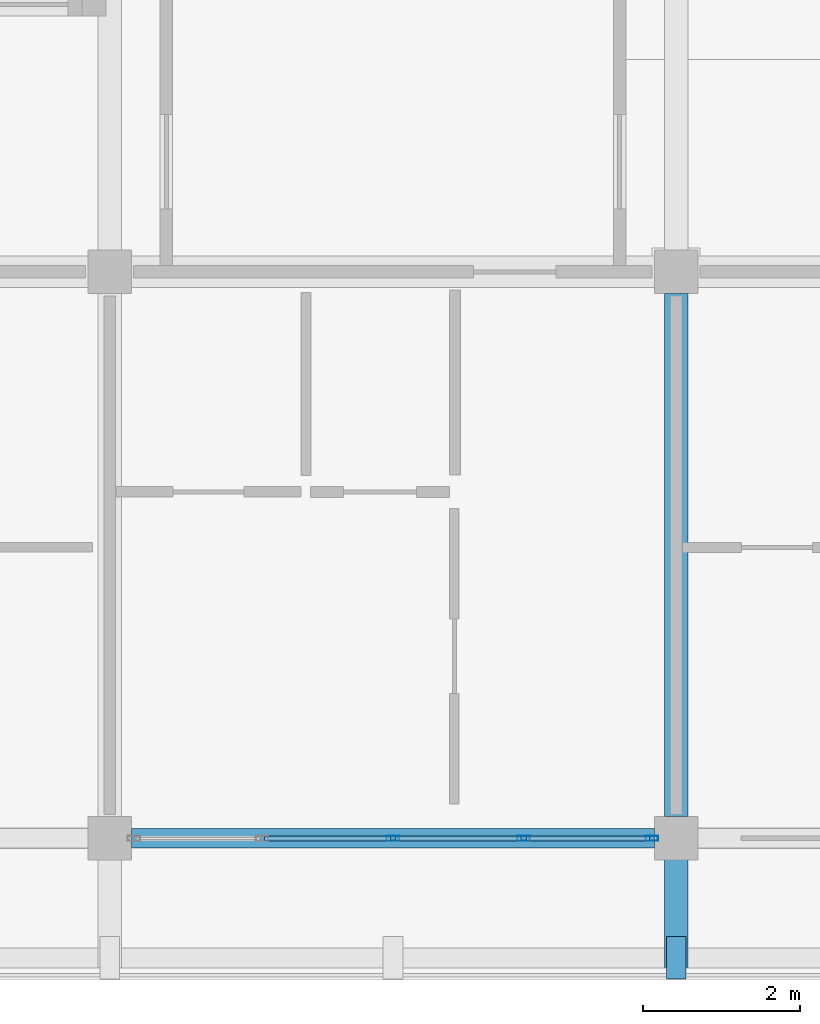
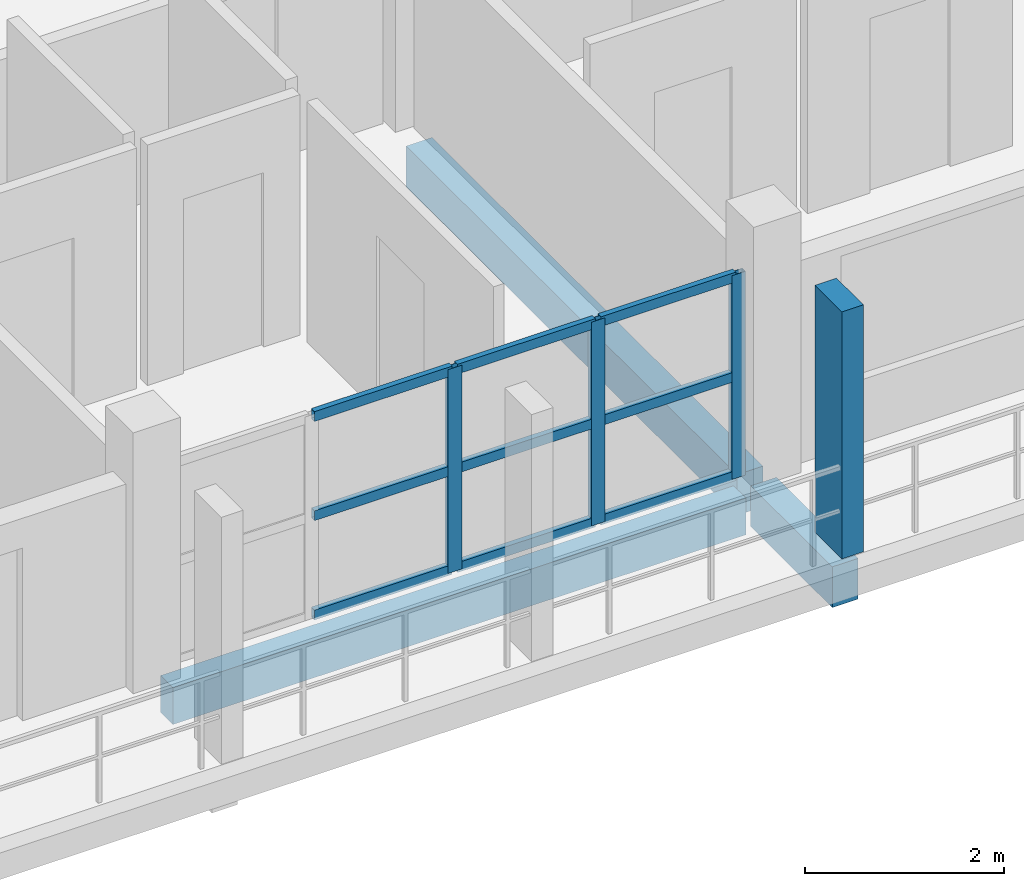
# One storey, part 22 of 65: 13 members, 3 beams, 1 element without a shape of its own.
"""IFC4 building model written with IfcOpenShell, lengths in metres."""

from ifc_helpers import new_model, si_unit, direction, frame, origin, origin_2d, place, context, subcontext, project, spatial, rectangle, hollow_rectangle, extrude, material, material_profile, profile_set, type_object, element, aggregate, save


model = new_model("IFC4")

# Units and contexts
model_context = context("Model", 3, precision=1e-05, world=origin(), true_north=direction((0.0, 1.0)))
body_context = subcontext(model_context, "Body", "Model", "MODEL_VIEW")
ifc_project = project(units=[si_unit("LENGTHUNIT", "METRE"), si_unit("AREAUNIT", "SQUARE_METRE"), si_unit("VOLUMEUNIT", "CUBIC_METRE"), si_unit("PLANEANGLEUNIT", "RADIAN"), si_unit("MASSUNIT", "GRAM", prefix="KILO")], contexts=[model_context])

# Site, building, storey
site_placement = place(None, origin())
site = spatial("IfcSite", under=ifc_project, at=site_placement, CompositionType="ELEMENT")
building_placement = place(site_placement, origin())
building = spatial("IfcBuilding", under=site, at=building_placement, Name="Suanplinth Sawtooth Commons", CompositionType="ELEMENT")
storey_placement = place(building_placement, frame((0.0, 0.0, 28.300048828125)))
storey = spatial("IfcBuildingStorey", under=building, at=storey_placement, Name="L08", CompositionType="ELEMENT", Elevation=28.300048828125)

# Beams
ifc_material_1 = material(Name="Precast concrete C40/50", Category="concrete")
ifc_material_profile_1 = material_profile(ifc_material_1, rectangle(XDim=0.300048828125, YDim=0.5, at=origin_2d()), Name="PC-BM 300x500")
ifc_profile_set_1 = profile_set([ifc_material_profile_1], Name="Precast concrete C40/50")
beam_type_1 = type_object("IfcBeamType", Name="B-07", PredefinedType="BEAM", material=ifc_profile_set_1)
beam_1_placement = place(storey_placement, frame((172.800048828125, 0.27490234375, -0.4599609375), z_axis=(0.0, 1.0, 0.0), x_axis=(-1.0, 0.0, 0.0)))
element("IfcBeam", 1, at=beam_1_placement, inside=storey, type_object=beam_type_1, Name="BMY-L08-C-24-0", PredefinedType="BEAM", context=body_context, shape_type="SweptSolid", body=[
    extrude(rectangle(XDim=0.300048828125, YDim=0.5, at=origin_2d()), origin(), (0.0, 0.0, 1.0), 6.650146484375),
])
beam_2_placement = place(storey_placement, frame((172.800048828125, 0.0, -0.429931640625), z_axis=(0.0, -1.0, 0.0), x_axis=(1.0, 0.0, 0.0)))
element("IfcBeam", 2, at=beam_2_placement, inside=storey, type_object=beam_type_1, Name="Balcony Outrigger L08-C-S-24", PredefinedType="BEAM", context=body_context, shape_type="SweptSolid", body=[
    extrude(rectangle(XDim=0.300048828125, YDim=0.5, at=origin_2d()), origin(), (0.0, 0.0, 1.0), 1.639892578125),
])
ifc_material_profile_2 = material_profile(ifc_material_1, rectangle(XDim=0.25, YDim=0.449951171875, at=origin_2d()), Name="PC-SP 250x450")
ifc_profile_set_2 = profile_set([ifc_material_profile_2], Name="Precast concrete C40/50")
beam_type_2 = type_object("IfcBeamType", Name="B-09", PredefinedType="SPANDREL", material=ifc_profile_set_2)
beam_3_placement = place(storey_placement, frame((165.875, 0.0, -0.43505859375), z_axis=(1.0, 0.0, 0.0), x_axis=(0.0, 1.0, 0.0)))
element("IfcBeam", 3, at=beam_3_placement, inside=storey, type_object=beam_type_2, Name="BMX-L08-C-23-0", PredefinedType="SPANDREL", context=body_context, shape_type="SweptSolid", body=[
    extrude(rectangle(XDim=0.25, YDim=0.449951171875, at=origin_2d()), origin(), (0.0, 0.0, 1.0), 6.64990234375),
])

# Member
ifc_material_2 = material(Name="Pigmented precast concrete C40/50", Category="concrete")
ifc_material_profile_3 = material_profile(ifc_material_2, rectangle(XDim=0.25, YDim=0.5400390625, at=origin_2d()), Name="PC-FIN 250x540")
ifc_profile_set_3 = profile_set([ifc_material_profile_3], Name="Pigmented precast concrete C40/50")
member_type_1 = type_object("IfcMemberType", Name="M-11", PredefinedType="USERDEFINED", material=ifc_profile_set_3)
member_1_placement = place(storey_placement, frame((172.800048828125, -1.52001953125, 0.0), z_axis=(0.0, 0.0, 1.0), x_axis=(1.0, 0.0, 0.0)))
element("IfcMember", 4, at=member_1_placement, inside=storey, type_object=member_type_1, Name="Upright Solar Blade L08-C-S-07", ObjectType="SHADING FIN", PredefinedType="USERDEFINED", context=body_context, shape_type="SweptSolid", body=[
    extrude(rectangle(XDim=0.25, YDim=0.5400390625, at=origin_2d()), origin(), (0.0, 0.0, 1.0), 3.030029296875),
])

# Curtain wall, members
ifc_material_3 = material(Name="Anodized aluminium and low-E glazing", Category="aluminium")
curtain_wall_type = type_object("IfcCurtainWallType", Name="CW-06", PredefinedType="USERDEFINED", material=ifc_material_3)
curtain_wall_placement = place(storey_placement, origin())
curtain_wall = element("IfcCurtainWall", 5, at=curtain_wall_placement, inside=storey, type_object=curtain_wall_type, Name="Curtain Wall CW-L08-C-LOUNGE-23", ObjectType="CURTAIN WALL", PredefinedType="USERDEFINED")
ifc_material_4 = material(Name="Anodized aluminium 6063-T6", Category="aluminium")
ifc_material_profile_4 = material_profile(ifc_material_4, hollow_rectangle(XDim=0.06494140625, YDim=0.159912109375, WallThickness=0.00390625, at=origin_2d()), Name="ALU-MUL 65x160")
ifc_profile_set_4 = profile_set([ifc_material_profile_4], Name="Anodized aluminium 6063-T6")
member_type_2 = type_object("IfcMemberType", Name="M-13", PredefinedType="MULLION", material=ifc_profile_set_4)
member_2_placement = place(storey_placement, frame((169.199951171875, 0.0, 0.0), z_axis=(0.0, 0.0, 1.0), x_axis=(0.0, 1.0, 0.0)))
member_2 = element("IfcMember", 6, at=member_2_placement, type_object=member_type_2, Name="CW-06 mullion 3", PredefinedType="MULLION", context=body_context, shape_type="SweptSolid", body=[
    extrude(hollow_rectangle(XDim=0.06494140625, YDim=0.159912109375, WallThickness=0.00390625, at=origin_2d()), origin(), (0.0, 0.0, 1.0), 2.5),
])
member_3_placement = place(storey_placement, frame((170.862548828125, 0.0, 0.0), z_axis=(0.0, 0.0, 1.0), x_axis=(0.0, 1.0, 0.0)))
member_3 = element("IfcMember", 7, at=member_3_placement, type_object=member_type_2, Name="CW-06 mullion 4", PredefinedType="MULLION", context=body_context, shape_type="SweptSolid", body=[
    extrude(hollow_rectangle(XDim=0.06494140625, YDim=0.159912109375, WallThickness=0.00390625, at=origin_2d()), origin(), (0.0, 0.0, 1.0), 2.5),
])
member_4_placement = place(storey_placement, frame((172.492431640625, 0.0, 0.0), z_axis=(0.0, 0.0, 1.0), x_axis=(0.0, 1.0, 0.0)))
member_4 = element("IfcMember", 8, at=member_4_placement, type_object=member_type_2, Name="CW-06 mullion 5", PredefinedType="MULLION", context=body_context, shape_type="SweptSolid", body=[
    extrude(hollow_rectangle(XDim=0.06494140625, YDim=0.159912109375, WallThickness=0.00390625, at=origin_2d()), origin(), (0.0, 0.0, 1.0), 2.5),
])
ifc_material_profile_5 = material_profile(ifc_material_4, hollow_rectangle(XDim=0.06494140625, YDim=0.1201171875, WallThickness=0.00390625, at=origin_2d()), Name="ALU-TRN 65x120")
ifc_profile_set_5 = profile_set([ifc_material_profile_5], Name="Anodized aluminium 6063-T6")
member_type_3 = type_object("IfcMemberType", Name="M-15", PredefinedType="USERDEFINED", material=ifc_profile_set_5)
member_5_placement = place(storey_placement, frame((167.570068359375, 0.0, 0.032470703125), z_axis=(1.0, 0.0, 0.0), x_axis=(0.0, 1.0, 0.0)))
member_5 = element("IfcMember", 9, at=member_5_placement, type_object=member_type_3, Name="CW-06 transom 2.1", ObjectType="TRANSOM", PredefinedType="USERDEFINED", context=body_context, shape_type="SweptSolid", body=[
    extrude(hollow_rectangle(XDim=0.06494140625, YDim=0.1201171875, WallThickness=0.00390625, at=origin_2d()), origin(), (0.0, 0.0, 1.0), 1.597412109375),
])
member_6_placement = place(storey_placement, frame((167.570068359375, 0.0, 1.25), z_axis=(1.0, 0.0, 0.0), x_axis=(0.0, 1.0, 0.0)))
member_6 = element("IfcMember", 10, at=member_6_placement, type_object=member_type_3, Name="CW-06 transom 2.2", ObjectType="TRANSOM", PredefinedType="USERDEFINED", context=body_context, shape_type="SweptSolid", body=[
    extrude(hollow_rectangle(XDim=0.06494140625, YDim=0.1201171875, WallThickness=0.00390625, at=origin_2d()), origin(), (0.0, 0.0, 1.0), 1.597412109375),
])
member_7_placement = place(storey_placement, frame((167.570068359375, 0.0, 2.467529296875), z_axis=(1.0, 0.0, 0.0), x_axis=(0.0, 1.0, 0.0)))
member_7 = element("IfcMember", 11, at=member_7_placement, type_object=member_type_3, Name="CW-06 transom 2.3", ObjectType="TRANSOM", PredefinedType="USERDEFINED", context=body_context, shape_type="SweptSolid", body=[
    extrude(hollow_rectangle(XDim=0.06494140625, YDim=0.1201171875, WallThickness=0.00390625, at=origin_2d()), origin(), (0.0, 0.0, 1.0), 1.597412109375),
])
member_8_placement = place(storey_placement, frame((169.232421875, 0.0, 0.032470703125), z_axis=(1.0, 0.0, 0.0), x_axis=(0.0, 1.0, 0.0)))
member_8 = element("IfcMember", 12, at=member_8_placement, type_object=member_type_3, Name="CW-06 transom 3.1", ObjectType="TRANSOM", PredefinedType="USERDEFINED", context=body_context, shape_type="SweptSolid", body=[
    extrude(hollow_rectangle(XDim=0.06494140625, YDim=0.1201171875, WallThickness=0.00390625, at=origin_2d()), origin(), (0.0, 0.0, 1.0), 1.59765625),
])
member_9_placement = place(storey_placement, frame((169.232421875, 0.0, 1.25), z_axis=(1.0, 0.0, 0.0), x_axis=(0.0, 1.0, 0.0)))
member_9 = element("IfcMember", 13, at=member_9_placement, type_object=member_type_3, Name="CW-06 transom 3.2", ObjectType="TRANSOM", PredefinedType="USERDEFINED", context=body_context, shape_type="SweptSolid", body=[
    extrude(hollow_rectangle(XDim=0.06494140625, YDim=0.1201171875, WallThickness=0.00390625, at=origin_2d()), origin(), (0.0, 0.0, 1.0), 1.59765625),
])
member_10_placement = place(storey_placement, frame((169.232421875, 0.0, 2.467529296875), z_axis=(1.0, 0.0, 0.0), x_axis=(0.0, 1.0, 0.0)))
member_10 = element("IfcMember", 14, at=member_10_placement, type_object=member_type_3, Name="CW-06 transom 3.3", ObjectType="TRANSOM", PredefinedType="USERDEFINED", context=body_context, shape_type="SweptSolid", body=[
    extrude(hollow_rectangle(XDim=0.06494140625, YDim=0.1201171875, WallThickness=0.00390625, at=origin_2d()), origin(), (0.0, 0.0, 1.0), 1.59765625),
])
member_11_placement = place(storey_placement, frame((170.89501953125, 0.0, 0.032470703125), z_axis=(1.0, 0.0, 0.0), x_axis=(0.0, 1.0, 0.0)))
member_11 = element("IfcMember", 15, at=member_11_placement, type_object=member_type_3, Name="CW-06 transom 4.1", ObjectType="TRANSOM", PredefinedType="USERDEFINED", context=body_context, shape_type="SweptSolid", body=[
    extrude(hollow_rectangle(XDim=0.06494140625, YDim=0.1201171875, WallThickness=0.00390625, at=origin_2d()), origin(), (0.0, 0.0, 1.0), 1.56494140625),
])
member_12_placement = place(storey_placement, frame((170.89501953125, 0.0, 1.25), z_axis=(1.0, 0.0, 0.0), x_axis=(0.0, 1.0, 0.0)))
member_12 = element("IfcMember", 16, at=member_12_placement, type_object=member_type_3, Name="CW-06 transom 4.2", ObjectType="TRANSOM", PredefinedType="USERDEFINED", context=body_context, shape_type="SweptSolid", body=[
    extrude(hollow_rectangle(XDim=0.06494140625, YDim=0.1201171875, WallThickness=0.00390625, at=origin_2d()), origin(), (0.0, 0.0, 1.0), 1.56494140625),
])
member_13_placement = place(storey_placement, frame((170.89501953125, 0.0, 2.467529296875), z_axis=(1.0, 0.0, 0.0), x_axis=(0.0, 1.0, 0.0)))
member_13 = element("IfcMember", 17, at=member_13_placement, type_object=member_type_3, Name="CW-06 transom 4.3", ObjectType="TRANSOM", PredefinedType="USERDEFINED", context=body_context, shape_type="SweptSolid", body=[
    extrude(hollow_rectangle(XDim=0.06494140625, YDim=0.1201171875, WallThickness=0.00390625, at=origin_2d()), origin(), (0.0, 0.0, 1.0), 1.56494140625),
])
aggregate(curtain_wall, [member_2, member_3, member_4, member_5, member_6, member_7, member_8, member_9, member_10, member_11, member_12, member_13])

save(model, "model.ifc")
